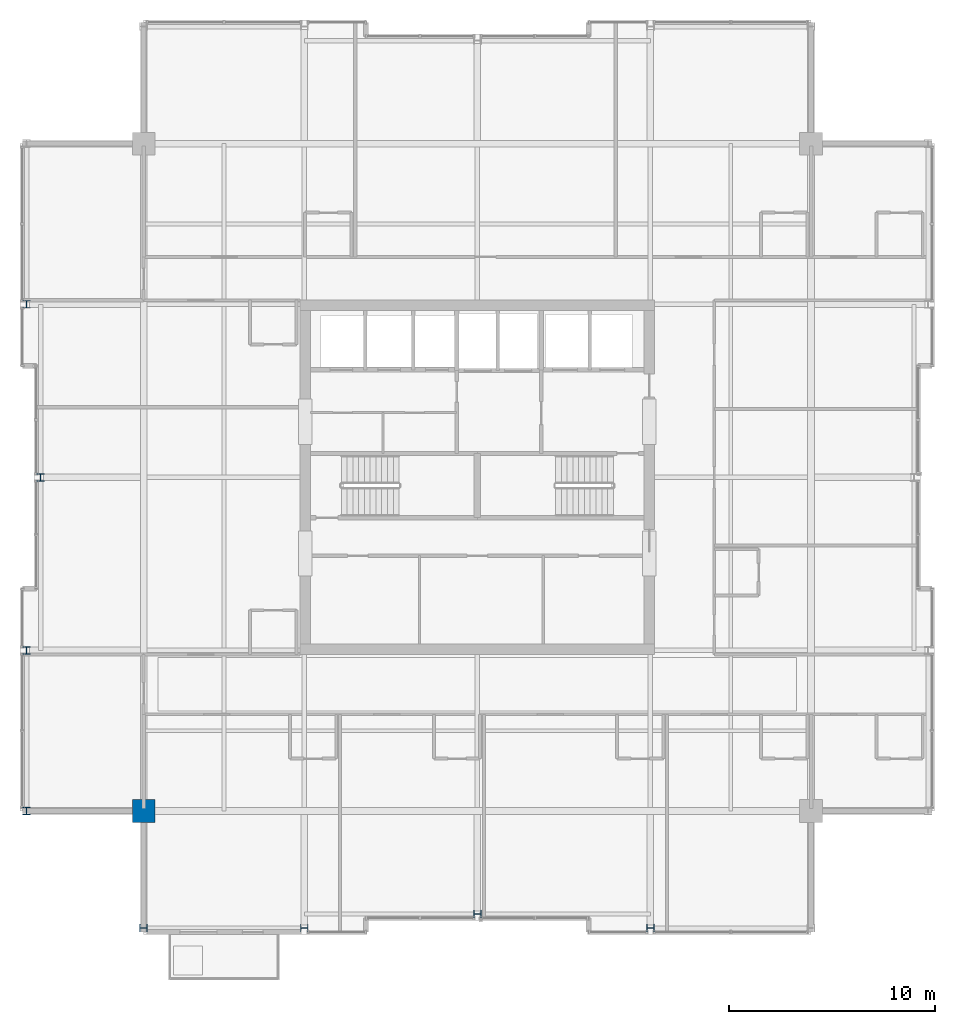
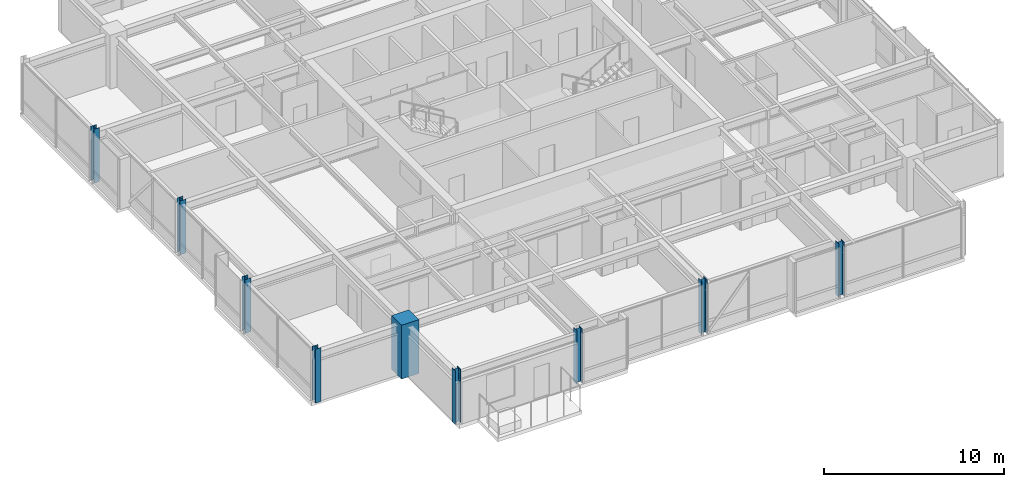
# One storey, part 1 of 34: 9 columns.
"""IFC4 building model written with IfcOpenShell, lengths in metres."""

from ifc_helpers import new_model, si_unit, direction, frame, origin, origin_2d, place, context, subcontext, project, spatial, rectangle, i_section, extrude, material, material_profile, profile_set, type_object, element, save


model = new_model("IFC4")

# Units and contexts
model_context = context("Model", 3, precision=1e-05, world=origin(), true_north=direction((0.0, 1.0)))
body_context = subcontext(model_context, "Body", "Model", "MODEL_VIEW")
ifc_project = project(units=[si_unit("LENGTHUNIT", "METRE"), si_unit("AREAUNIT", "SQUARE_METRE"), si_unit("VOLUMEUNIT", "CUBIC_METRE"), si_unit("PLANEANGLEUNIT", "RADIAN"), si_unit("MASSUNIT", "GRAM", prefix="KILO")], contexts=[model_context])

# Site, building, storey
site_placement = place(None, origin())
site = spatial("IfcSite", under=ifc_project, at=site_placement, CompositionType="ELEMENT")
building_placement = place(site_placement, origin())
building = spatial("IfcBuilding", under=site, at=building_placement, Name="Drelvath Grand Hotel", CompositionType="ELEMENT")
storey_placement = place(building_placement, frame((0.0, 0.0, 286.89990234375)))
storey = spatial("IfcBuildingStorey", under=building, at=storey_placement, Name="L75", CompositionType="ELEMENT", Elevation=286.89990234375)

# Columns
ifc_material_1 = material(Name="Concrete f'c 55 MPa", Category="concrete")
ifc_material_profile_1 = material_profile(ifc_material_1, rectangle(XDim=1.10009765625, YDim=1.10009765625, at=origin_2d()), Name="MC1100X1100")
ifc_profile_set_1 = profile_set([ifc_material_profile_1], Name="Concrete f'c 55 MPa")
column_type_1 = type_object("IfcColumnType", Name="Composite Mega Column MC1100X1100", PredefinedType="COLUMN", material=ifc_profile_set_1)
column_placement = place(storey_placement, frame((-16.199951171875, 10.800048828125, 0.0), z_axis=(0.0, 0.0, 1.0), x_axis=(1.0, 0.0, 0.0)))
element("IfcColumn", 1, at=column_placement, inside=storey, type_object=column_type_1, Name="L75 Composite Mega Column MC-SW", PredefinedType="COLUMN", context=body_context, shape_type="SweptSolid", body=[
    extrude(rectangle(XDim=1.10009765625, YDim=1.10009765625, at=origin_2d()), origin(), (0.0, 0.0, 1.0), 3.650146484375),
])
ifc_material_2 = material(Name="Steel ASTM A913 Gr 65", Category="steel")
ifc_material_profile_2 = material_profile(ifc_material_2, i_section(OverallWidth=0.368896484375, OverallDepth=0.356201171875, WebThickness=0.01123046875, FlangeThickness=0.01806640625, FilletRadius=0.02490234375, at=origin_2d()), Name="W14X90")
ifc_profile_set_2 = profile_set([ifc_material_profile_2], Name="Steel ASTM A913 Gr 65")
column_type_2 = type_object("IfcColumnType", Name="Perimeter Steel Column W14X90", PredefinedType="COLUMN", material=ifc_profile_set_2)
for number, where, z_axis, x_axis, name in (
    (2, (-21.8798828125, 10.800048828125, 0.0), (0.0, 0.0, 1.0), (1.0, 0.0, 0.0), "L75 Structural Column TCW-C"),
    (3, (-21.8798828125, 18.60009765625, 0.0), (0.0, 0.0, 1.0), (1.0, 0.0, 0.0), "L75 Structural Column TCW-D"),
    (4, (-21.199951171875, 27.0, 0.0), (0.0, 0.0, 1.0), (1.0, 0.0, 0.0), "L75 Structural Column TCW-E"),
    (5, (-21.8798828125, 35.39990234375, 0.0), (0.0, 0.0, 1.0), (1.0, 0.0, 0.0), "L75 Structural Column TCW-F"),
    (6, (-16.199951171875, 5.1201171875, 0.0), (0.0, 0.0, 1.0), (0.0, 1.0, 0.0), "L75 Structural Column TCS-3"),
    (7, (-8.39990234375, 5.1201171875, 0.0), (0.0, 0.0, 1.0), (0.0, 1.0, 0.0), "L75 Structural Column TCS-4"),
    (8, (0.0, 5.800048828125, 0.0), (0.0, 0.0, 1.0), (0.0, 1.0, 0.0), "L75 Structural Column TCS-5"),
    (9, (8.39990234375, 5.1201171875, 0.0), (0.0, 0.0, 1.0), (0.0, 1.0, 0.0), "L75 Structural Column TCS-6"),
):
    element("IfcColumn", number, at=place(storey_placement, frame(where, z_axis=z_axis, x_axis=x_axis)), inside=storey, type_object=column_type_2, Name=name, PredefinedType="COLUMN", context=body_context, shape_type="SweptSolid", body=[
        extrude(i_section(OverallWidth=0.368896484375, OverallDepth=0.356201171875, WebThickness=0.01123046875, FlangeThickness=0.01806640625, FilletRadius=0.02490234375, at=origin_2d()), origin(), (0.0, 0.0, 1.0), 3.647216796875),
    ])

save(model, "model.ifc")
